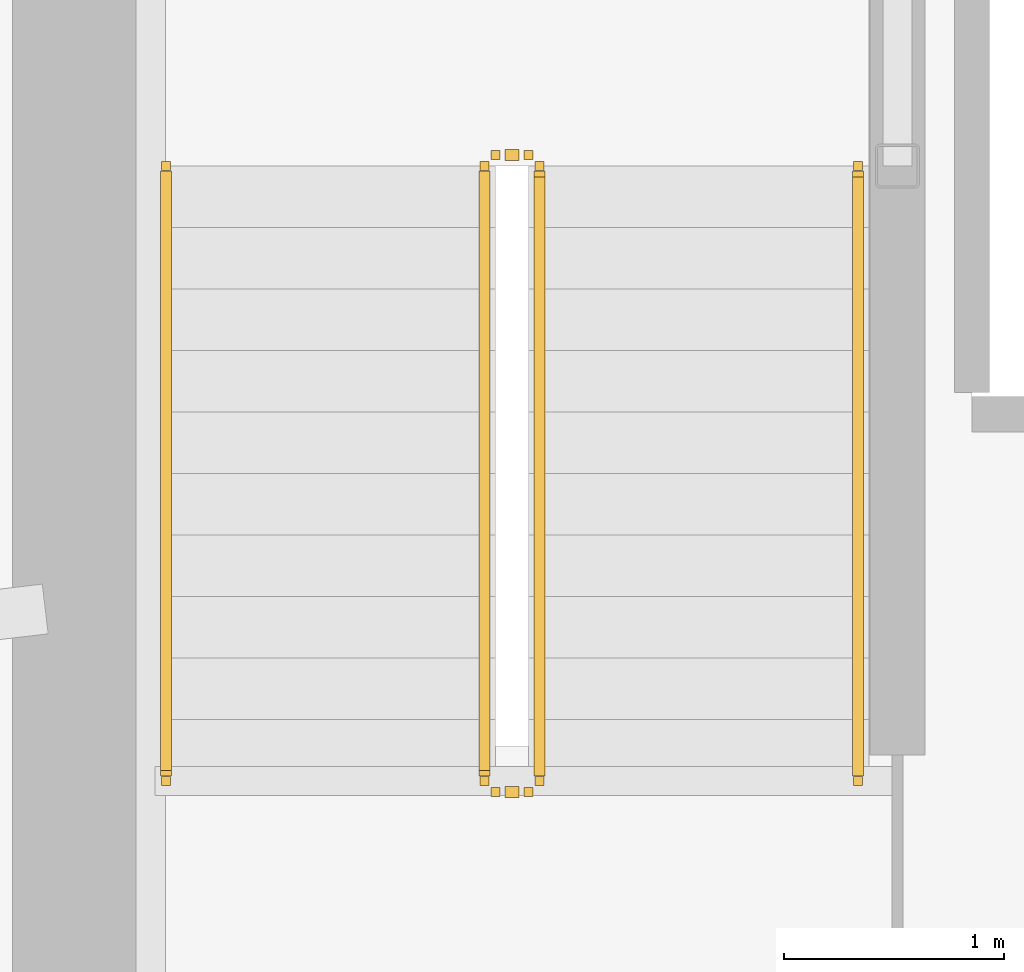
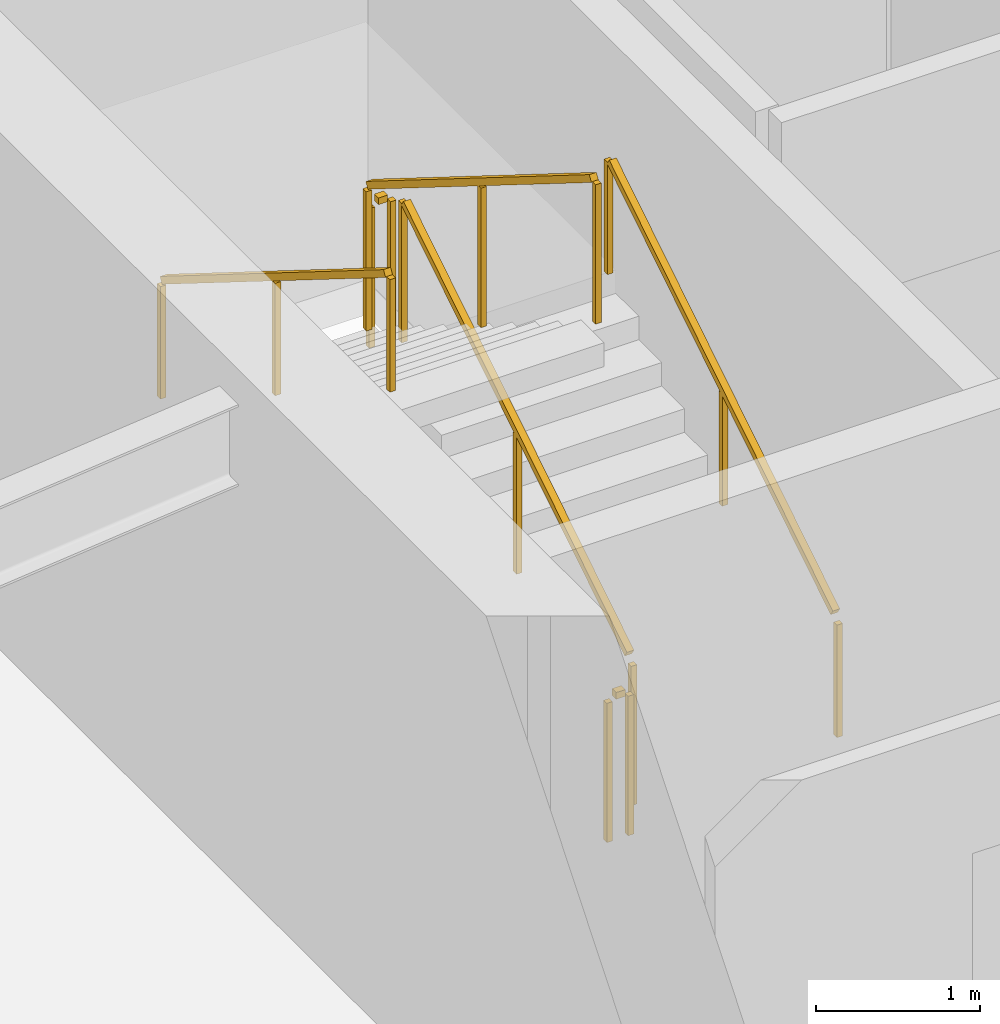
# One storey, part 25 of 30: 6 railings.
"""IFC4 building model written with IfcOpenShell, lengths in metres."""

import ifcopenshell
import ifcopenshell.guid

model = None  # the IFC model being written
_history = None  # IfcOwnerHistory: only IFC2X3 demands one
_inside = {}  # id of a spatial element -> (the spatial element, [elements in it])
_under = {}  # id of a project, library or spatial element -> (it, [spatial elements below it])
_declared = {}  # id of a project -> (the project, [libraries it declares])
_typed = {}  # id of a type object -> (the type object, [elements of that type])
_made_of = {}  # id of a material, layer set ... -> (it, [elements and type objects made of it])


def new_model(schema):
    """Start an empty IFC model of exactly this schema.

    Asked for "IFC4X3", IfcOpenShell would pick the latest addendum, in which some entities
    have other attributes; the version numbers below select the first issue.
    IFC2X3 requires an IfcOwnerHistory on every rooted entity: one is made here for all.
    """
    global model, _history
    if schema == "IFC4X3":
        model = ifcopenshell.file(schema_version=(4, 3, 0, 0))
    else:
        model = ifcopenshell.file(schema=schema)
    _inside.clear()
    _under.clear()
    _declared.clear()
    _typed.clear()
    _made_of.clear()
    _history = None
    if model.schema == "IFC2X3":
        org = make("IfcOrganization", Name="unknown")
        user = make(
            "IfcPersonAndOrganization",
            ThePerson=make("IfcPerson", FamilyName="unknown"),
            TheOrganization=org,
        )
        app = make(
            "IfcApplication",
            ApplicationDeveloper=org,
            Version="unknown",
            ApplicationFullName="unknown",
            ApplicationIdentifier="unknown",
        )
        _history = make(
            "IfcOwnerHistory",
            OwningUser=user,
            OwningApplication=app,
            ChangeAction="ADDED",
            CreationDate=0,
        )
    return model


def make(cls, **values):
    """One entity of the class cls with the attributes given. An attribute that is None is left unset."""
    return model.create_entity(
        cls, **{name: value for name, value in values.items() if value is not None}
    )


def rooted(cls, **values):
    """An entity with a GlobalId (a new one), such as an element, a storey or a relation."""
    return make(cls, GlobalId=ifcopenshell.guid.new(), OwnerHistory=_history, **values)


def si_unit(unit_type, name, prefix=None):
    """IfcSIUnit, for example si_unit("LENGTHUNIT", "METRE", prefix="MILLI")."""
    return make("IfcSIUnit", UnitType=unit_type, Prefix=prefix, Name=name)


def assignment(units):
    """IfcUnitAssignment: the units of a project."""
    return None if units is None else make("IfcUnitAssignment", Units=units)


def point(xyz):
    """IfcCartesianPoint."""
    return None if xyz is None else make("IfcCartesianPoint", Coordinates=xyz)


def direction(xyz):
    """IfcDirection."""
    return None if xyz is None else make("IfcDirection", DirectionRatios=xyz)


def frame(location, z_axis=None, x_axis=None):
    """IfcAxis2Placement3D, a coordinate frame: its origin and axes. An axis left out is left unset."""
    return make(
        "IfcAxis2Placement3D",
        Location=point(location),
        Axis=direction(z_axis),
        RefDirection=direction(x_axis),
    )


def frame_2d(location, x_axis=None):
    """IfcAxis2Placement2D, a coordinate frame in the plane: its origin and x axis."""
    return make(
        "IfcAxis2Placement2D", Location=point(location), RefDirection=direction(x_axis)
    )


def origin():
    """The frame at (0, 0, 0) with its axes left unset."""
    return frame((0.0, 0.0, 0.0))


def origin_2d():
    """The frame at (0, 0) in the plane with its x axis left unset."""
    return frame_2d((0.0, 0.0))


def place(relative_to, where):
    """IfcLocalPlacement: puts the frame where relative to a parent placement (None: the world)."""
    return make(
        "IfcLocalPlacement", PlacementRelTo=relative_to, RelativePlacement=where
    )


def context(
    kind, dimensions, precision=None, world=None, true_north=None, identifier=None
):
    """IfcGeometricRepresentationContext, for example the 3D "Model" context."""
    return make(
        "IfcGeometricRepresentationContext",
        ContextIdentifier=identifier,
        ContextType=kind,
        CoordinateSpaceDimension=dimensions,
        Precision=precision,
        WorldCoordinateSystem=world,
        TrueNorth=true_north,
    )


def subcontext(parent, identifier, kind, view, scale=None):
    """IfcGeometricRepresentationSubContext, for example "Body" below "Model"."""
    return make(
        "IfcGeometricRepresentationSubContext",
        ContextIdentifier=identifier,
        ContextType=kind,
        ParentContext=parent,
        TargetScale=scale,
        TargetView=view,
    )


def project(units=None, contexts=None):
    """IfcProject with its units and contexts."""
    return rooted(
        "IfcProject",
        Name="project",
        RepresentationContexts=contexts,
        UnitsInContext=assignment(units),
    )


def spatial(cls, under=None, at=None, **own):
    """A site, building, storey or space (cls), placed at a placement, below another one or the project."""
    s = rooted(cls, ObjectPlacement=at, **own)
    if under is not None:
        _under.setdefault(under.id(), (under, []))[1].append(s)
    return s


def profile(cls, at=None, kind="AREA", **sizes):
    """A parametric profile (cls). Its sizes go by their IFC names, for example OverallWidth=200.0."""
    return make(cls, ProfileType=kind, Position=at, **sizes)


def rectangle(**sizes):
    """IfcRectangleProfileDef."""
    return profile("IfcRectangleProfileDef", **sizes)


def extrude(swept, where, along, depth):
    """IfcExtrudedAreaSolid: the profile swept, set in the frame where, extruded along a direction by depth."""
    return make(
        "IfcExtrudedAreaSolid",
        SweptArea=swept,
        Position=where,
        ExtrudedDirection=direction(along),
        Depth=depth,
    )


def shape(context_of_items, identifier, shape_type, items):
    """IfcShapeRepresentation: the items that make up one representation, for example the "Body"."""
    return make(
        "IfcShapeRepresentation",
        ContextOfItems=context_of_items,
        RepresentationIdentifier=identifier,
        RepresentationType=shape_type,
        Items=items,
    )


def material(Name=None, Category=None):
    """IfcMaterial."""
    return make("IfcMaterial", Name=Name, Category=Category)


def made_of(thing, what):
    """Note that an element or type object is made of a material, layer set ...; save() writes the relation."""
    if what is not None:
        _made_of.setdefault(what.id(), (what, []))[1].append(thing)
    return thing


def type_object(cls, material=None, **own):
    """A type object (cls), such as IfcWallType, which elements share."""
    return made_of(rooted(cls, **own), material)


def element(
    cls,
    number,
    at=None,
    inside=None,
    cuts=None,
    type_object=None,
    material=None,
    context=None,
    identifier="Body",
    shape_type=None,
    held_by="IfcProductDefinitionShape",
    body=None,
    shapes=None,
    **own,
):
    """One element of the class cls, such as IfcWall. Its Tag is "e" and its number.

    at: its placement. inside: the storey or other place that contains it. cuts: it is an
    opening in that element (IfcRelVoidsElement). A single representation is given by context,
    identifier, shape_type and body (its items); several are given by shapes. held_by: the class
    of the entity that holds the representations. save() writes the other relations.
    """
    e = rooted(cls, Tag="e%d" % number, ObjectPlacement=at, **own)
    if body is not None:
        shapes = [shape(context, identifier, shape_type, body)]
    if shapes is not None:
        e.Representation = make(held_by, Representations=shapes)
    if inside is not None:
        _inside.setdefault(inside.id(), (inside, []))[1].append(e)
    if cuts is not None:
        rooted(
            "IfcRelVoidsElement", RelatingBuildingElement=cuts, RelatedOpeningElement=e
        )
    if type_object is not None:
        _typed.setdefault(type_object.id(), (type_object, []))[1].append(e)
    return made_of(e, material)


def aggregate(whole, parts):
    """IfcRelAggregates: a whole, such as a stair, and the parts it consists of."""
    return rooted("IfcRelAggregates", RelatingObject=whole, RelatedObjects=parts)


def save(model, path):
    """Write the relations noted so far, then the file.

    IfcRelAggregates (storeys below a building ...), IfcRelContainedInSpatialStructure (elements
    in a storey), IfcRelDefinesByType, IfcRelAssociatesMaterial and IfcRelDeclares: one each for
    every whole, place, type object, material and project.
    """
    for whole, parts in _under.values():
        aggregate(whole, parts)
    for where, things in _inside.values():
        rooted(
            "IfcRelContainedInSpatialStructure",
            RelatedElements=things,
            RelatingStructure=where,
        )
    for kind, things in _typed.values():
        rooted("IfcRelDefinesByType", RelatedObjects=things, RelatingType=kind)
    for what, things in _made_of.values():
        rooted("IfcRelAssociatesMaterial", RelatedObjects=things, RelatingMaterial=what)
    for by, libraries in _declared.values():
        rooted("IfcRelDeclares", RelatingContext=by, RelatedDefinitions=libraries)
    model.write(path)


model = new_model("IFC4")

# Units and contexts
model_context = context("Model", 3, precision=1e-05, world=origin(), true_north=direction((0.0, 1.0)))
body_context = subcontext(model_context, "Body", "Model", "MODEL_VIEW")
ifc_project = project(units=[si_unit("LENGTHUNIT", "METRE"), si_unit("AREAUNIT", "SQUARE_METRE"), si_unit("VOLUMEUNIT", "CUBIC_METRE"), si_unit("PLANEANGLEUNIT", "RADIAN"), si_unit("MASSUNIT", "GRAM", prefix="KILO")], contexts=[model_context])

# Site, building, storey
site_placement = place(None, origin())
site = spatial("IfcSite", under=ifc_project, at=site_placement, CompositionType="ELEMENT")
building_placement = place(site_placement, origin())
building = spatial("IfcBuilding", under=site, at=building_placement, Name="Kazma Halo Residences", CompositionType="ELEMENT")
storey_placement = place(building_placement, frame((0.0, 0.0, 244.39990234375)))
storey = spatial("IfcBuildingStorey", under=building, at=storey_placement, Name="L61", CompositionType="ELEMENT", Elevation=244.39990234375)

# Railings
ifc_material_1 = material(Name="Painted Steel S355", Category="steel")
railing_type_1 = type_object("IfcRailingType", Name="RLG-STAIR-GRD-1100", PredefinedType="GUARDRAIL", material=ifc_material_1)
railing_1_placement = place(storey_placement, frame((39.550048828125, 39.949951171875, 0.175048828125)))
element("IfcRailing", 1, at=railing_1_placement, inside=storey, type_object=railing_type_1, Name="L61 ST-01 stair guard 1", PredefinedType="GUARDRAIL", context=body_context, shape_type="SweptSolid", body=[
    extrude(rectangle(XDim=0.050048828125, YDim=0.050048828125, at=origin_2d()), frame((0.0, 0.0361328125, 1.09765625), z_axis=(0.0, 0.848002457836, 0.529992293815), x_axis=(-1.0, 0.0, 0.0)), (0.0, 0.0, 1.0), 3.216796875),
    extrude(rectangle(XDim=0.0400390625, YDim=0.0400390625, at=origin_2d()), origin(), (0.0, 0.0, 1.0), 1.0380859375),
    extrude(rectangle(XDim=0.0400390625, YDim=0.0400390625, at=origin_2d()), frame((0.0, 1.39990234375, 0.875)), (0.0, 0.0, 1.0), 1.0380859375),
    extrude(rectangle(XDim=0.0400390625, YDim=0.0400390625, at=origin_2d()), frame((0.0, 2.800048828125, 1.75)), (0.0, 0.0, 1.0), 1.0380859375),
])
railing_2_placement = place(storey_placement, frame((39.5, 42.800048828125, 1.925048828125)))
element("IfcRailing", 2, at=railing_2_placement, inside=storey, type_object=railing_type_1, Name="L61 ST-01 stair guard 2", PredefinedType="GUARDRAIL", context=body_context, shape_type="SweptSolid", body=[
    extrude(rectangle(XDim=0.050048828125, YDim=0.050048828125, at=origin_2d()), frame((-0.04248046875, 0.0, 1.0751953125), z_axis=(-1.0, 0.0, 0.0), x_axis=(0.0, -1.0, 0.0)), (0.0, 0.0, 1.0), 0.06494140625),
    extrude(rectangle(XDim=0.0400390625, YDim=0.0400390625, at=origin_2d()), origin(), (0.0, 0.0, 1.0), 1.0380859375),
    extrude(rectangle(XDim=0.0400390625, YDim=0.0400390625, at=origin_2d()), frame((-0.14990234375, 0.0, 0.0)), (0.0, 0.0, 1.0), 1.0380859375),
])
railing_3_placement = place(storey_placement, frame((39.300048828125, 42.75, 2.10009765625)))
element("IfcRailing", 3, at=railing_3_placement, inside=storey, type_object=railing_type_1, Name="L61 ST-01 stair guard 3", PredefinedType="GUARDRAIL", context=body_context, shape_type="SweptSolid", body=[
    extrude(rectangle(XDim=0.050048828125, YDim=0.050048828125, at=origin_2d()), frame((0.0, -0.0361328125, 1.09765625), z_axis=(0.0, -0.848002457836, 0.529992293815), x_axis=(1.0, 0.0, 0.0)), (0.0, 0.0, 1.0), 3.216796875),
    extrude(rectangle(XDim=0.0400390625, YDim=0.0400390625, at=origin_2d()), origin(), (0.0, 0.0, 1.0), 1.0380859375),
    extrude(rectangle(XDim=0.0400390625, YDim=0.0400390625, at=origin_2d()), frame((0.0, -1.39990234375, 0.875)), (0.0, 0.0, 1.0), 1.0380859375),
    extrude(rectangle(XDim=0.0400390625, YDim=0.0400390625, at=origin_2d()), frame((0.0, -2.800048828125, 1.75)), (0.0, 0.0, 1.0), 1.0380859375),
])
railing_4_placement = place(storey_placement, frame((39.5, 39.89990234375, 0.0)))
element("IfcRailing", 4, at=railing_4_placement, inside=storey, type_object=railing_type_1, Name="L61 ST-01 stair guard 4", PredefinedType="GUARDRAIL", context=body_context, shape_type="SweptSolid", body=[
    extrude(rectangle(XDim=0.050048828125, YDim=0.050048828125, at=origin_2d()), frame((-0.04248046875, 0.0, 1.0751953125), z_axis=(-1.0, 0.0, 0.0), x_axis=(0.0, -1.0, 0.0)), (0.0, 0.0, 1.0), 0.06494140625),
    extrude(rectangle(XDim=0.0400390625, YDim=0.0400390625, at=origin_2d()), origin(), (0.0, 0.0, 1.0), 1.0380859375),
    extrude(rectangle(XDim=0.0400390625, YDim=0.0400390625, at=origin_2d()), frame((-0.14990234375, 0.0, 0.0)), (0.0, 0.0, 1.0), 1.0380859375),
])
ifc_material_2 = material(Name="Brushed Stainless Steel", Category="steel")
railing_type_2 = type_object("IfcRailingType", Name="RLG-STAIR-HND-900", PredefinedType="HANDRAIL", material=ifc_material_2)
railing_5_placement = place(storey_placement, frame((41.0, 39.949951171875, 0.175048828125)))
element("IfcRailing", 5, at=railing_5_placement, inside=storey, type_object=railing_type_2, Name="L61 ST-01 stair handrail 1", PredefinedType="HANDRAIL", context=body_context, shape_type="SweptSolid", body=[
    extrude(rectangle(XDim=0.050048828125, YDim=0.050048828125, at=origin_2d()), frame((0.0, 0.0361328125, 0.8974609375), z_axis=(0.0, 0.848002457836, 0.529992293815), x_axis=(-1.0, 0.0, 0.0)), (0.0, 0.0, 1.0), 3.216796875),
    extrude(rectangle(XDim=0.0400390625, YDim=0.0400390625, at=origin_2d()), origin(), (0.0, 0.0, 1.0), 0.837890625),
    extrude(rectangle(XDim=0.0400390625, YDim=0.0400390625, at=origin_2d()), frame((0.0, 1.39990234375, 0.875)), (0.0, 0.0, 1.0), 0.837890625),
    extrude(rectangle(XDim=0.0400390625, YDim=0.0400390625, at=origin_2d()), frame((0.0, 2.800048828125, 1.75)), (0.0, 0.0, 1.0), 0.837890625),
])
railing_6_placement = place(storey_placement, frame((37.85009765625, 42.75, 2.10009765625)))
element("IfcRailing", 6, at=railing_6_placement, inside=storey, type_object=railing_type_2, Name="L61 ST-01 stair handrail 2", PredefinedType="HANDRAIL", context=body_context, shape_type="SweptSolid", body=[
    extrude(rectangle(XDim=0.050048828125, YDim=0.050048828125, at=origin_2d()), frame((0.0, -0.0361328125, 0.8974609375), z_axis=(0.0, -0.848002457836, 0.529992293815), x_axis=(1.0, 0.0, 0.0)), (0.0, 0.0, 1.0), 3.216796875),
    extrude(rectangle(XDim=0.0400390625, YDim=0.0400390625, at=origin_2d()), origin(), (0.0, 0.0, 1.0), 0.837890625),
    extrude(rectangle(XDim=0.0400390625, YDim=0.0400390625, at=origin_2d()), frame((0.0, -1.39990234375, 0.875)), (0.0, 0.0, 1.0), 0.837890625),
    extrude(rectangle(XDim=0.0400390625, YDim=0.0400390625, at=origin_2d()), frame((0.0, -2.800048828125, 1.75)), (0.0, 0.0, 1.0), 0.837890625),
])

save(model, "model.ifc")
